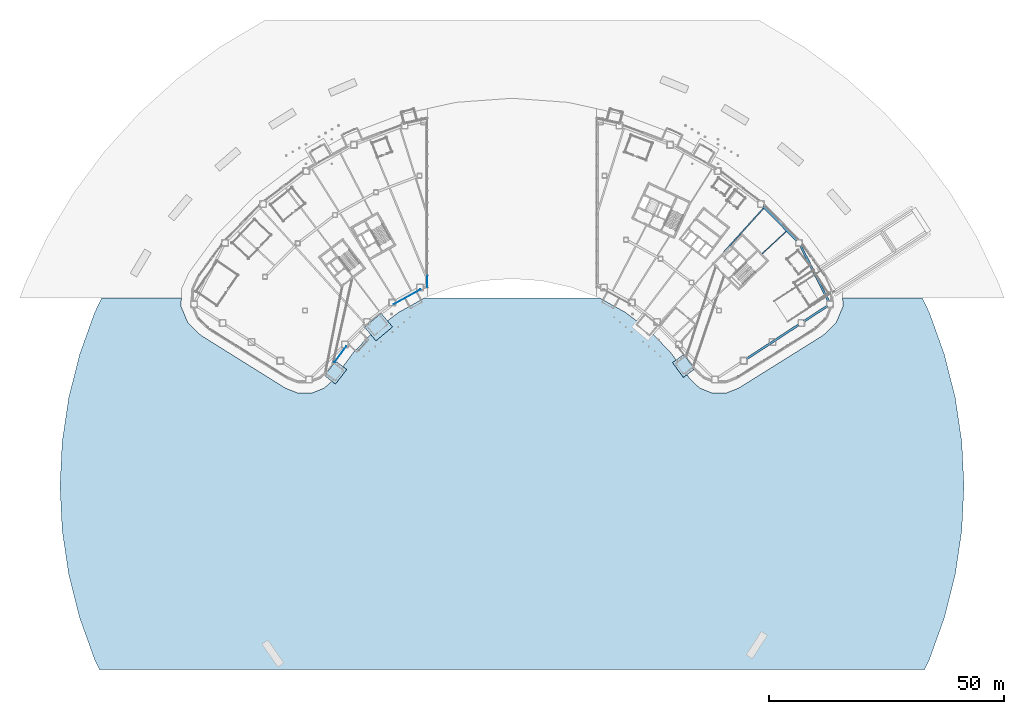
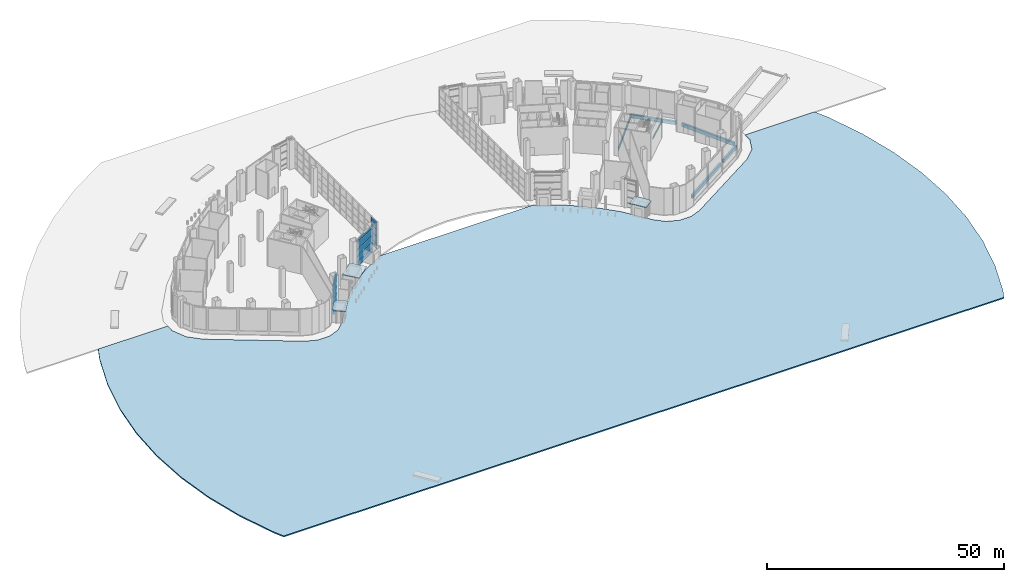
# One storey, part 26 of 45: 14 plates, 6 beams, 4 slabs, 3 elements without a shape of their own.
"""IFC4 building model written with IfcOpenShell, lengths in metres."""

from ifc_helpers import new_model, si_unit, direction, frame, origin, origin_2d, place, context, subcontext, project, spatial, polyline, rectangle, hollow_rectangle, i_section, outline, extrude, material, layer, layer_set, material_profile, profile_set, type_object, element, aggregate, save


model = new_model("IFC4")

# Units and contexts
model_context = context("Model", 3, precision=1e-05, world=origin(), true_north=direction((0.0, 1.0)))
body_context = subcontext(model_context, "Body", "Model", "MODEL_VIEW")
ifc_project = project(units=[si_unit("LENGTHUNIT", "METRE"), si_unit("AREAUNIT", "SQUARE_METRE"), si_unit("VOLUMEUNIT", "CUBIC_METRE"), si_unit("PLANEANGLEUNIT", "RADIAN"), si_unit("MASSUNIT", "GRAM", prefix="KILO")], contexts=[model_context])

# Site, building, storey
site_placement = place(None, origin())
site = spatial("IfcSite", under=ifc_project, at=site_placement, CompositionType="ELEMENT")
building_placement = place(site_placement, origin())
building = spatial("IfcBuilding", under=site, at=building_placement, Name="Tuul Gate Civic Tower", CompositionType="ELEMENT")
storey_placement = place(building_placement, origin())
storey = spatial("IfcBuildingStorey", under=building, at=storey_placement, Name="Level 00", CompositionType="ELEMENT", Elevation=0.0)

# Beams
ifc_material_1 = material(Name="Steel S355", Category="steel")
ifc_material_profile_1 = material_profile(ifc_material_1, i_section(OverallWidth=0.199951171875, OverallDepth=0.5, WebThickness=0.010009765625, FlangeThickness=0.01611328125, at=origin_2d()), Name="PG500x200x10x16")
ifc_profile_set_1 = profile_set([ifc_material_profile_1], Name="Steel S355")
beam_type_1 = type_object("IfcBeamType", Name="STR-FLOOR BEAM-PG500x200x10x16", PredefinedType="BEAM", material=ifc_profile_set_1)
beam_1_placement = place(storey_placement, frame((53.109375, -10.668212890625, -0.64990234375), z_axis=(0.732687862246, 0.680564836381, 0.0), x_axis=(-0.680564836381, 0.732687862246, 0.0)))
element("IfcBeam", 1, at=beam_1_placement, inside=storey, type_object=beam_type_1, Name="Floor beam", PredefinedType="BEAM", context=body_context, shape_type="SweptSolid", body=[
    extrude(i_section(OverallWidth=0.199951171875, OverallDepth=0.5, WebThickness=0.010009765625, FlangeThickness=0.01611328125, at=origin_2d()), origin(), (0.0, 0.0, 1.0), 6.997802734375),
])
ifc_material_2 = material(Name="Steel S355", Category="steel")
ifc_material_profile_2 = material_profile(ifc_material_2, i_section(OverallWidth=0.25, OverallDepth=0.64990234375, WebThickness=0.011962890625, FlangeThickness=0.02001953125, at=origin_2d()), Name="PG650x250x12x20")
ifc_profile_set_2 = profile_set([ifc_material_profile_2], Name="Steel S355")
beam_type_2 = type_object("IfcBeamType", Name="STR-FLOOR BEAM-PG650x250x12x20", PredefinedType="BEAM", material=ifc_profile_set_2)
beam_2_placement = place(storey_placement, frame((45.019775390625, -10.267578125, -0.72509765625), z_axis=(0.671117634609, 0.741350875441, 0.0), x_axis=(-0.741350875441, 0.671117634609, 0.0)))
element("IfcBeam", 2, at=beam_2_placement, inside=storey, type_object=beam_type_2, Name="Floor beam", PredefinedType="BEAM", context=body_context, shape_type="SweptSolid", body=[
    extrude(i_section(OverallWidth=0.25, OverallDepth=0.64990234375, WebThickness=0.011962890625, FlangeThickness=0.02001953125, at=origin_2d()), origin(), (0.0, 0.0, 1.0), 12.51416015625),
])
ifc_material_3 = material(Name="Steel S355", Category="steel")
ifc_material_profile_3 = material_profile(ifc_material_3, hollow_rectangle(XDim=0.449951171875, YDim=0.89990234375, WallThickness=0.02490234375, at=origin_2d()), Name="BOX900x450x25")
ifc_profile_set_3 = profile_set([ifc_material_profile_3], Name="Steel S355")
beam_type_3 = type_object("IfcBeamType", Name="STR-SPANDREL BEAM-BOX900x450x25", PredefinedType="BEAM", material=ifc_profile_set_3)
beam_3_placement = place(storey_placement, frame((67.245849609375, -20.742431640625, -0.85009765625), z_axis=(-0.451678979782, 0.892180530623, 0.0), x_axis=(-0.892180530623, -0.451678979782, 0.0)))
element("IfcBeam", 3, at=beam_3_placement, inside=storey, type_object=beam_type_3, Name="Spandrel beam", PredefinedType="BEAM", context=body_context, shape_type="SweptSolid", body=[
    extrude(hollow_rectangle(XDim=0.449951171875, YDim=0.89990234375, WallThickness=0.02490234375, at=origin_2d()), origin(), (0.0, 0.0, 1.0), 13.214599609375),
])
beam_4_placement = place(storey_placement, frame((60.470947265625, -7.828125, -0.85009765625), z_axis=(-0.700009826077, 0.714133211239, 0.0), x_axis=(-0.714133211239, -0.700009826077, 0.0)))
element("IfcBeam", 4, at=beam_4_placement, inside=storey, type_object=beam_type_3, Name="Spandrel beam", PredefinedType="BEAM", context=body_context, shape_type="SweptSolid", body=[
    extrude(hollow_rectangle(XDim=0.449951171875, YDim=0.89990234375, WallThickness=0.02490234375, at=origin_2d()), origin(), (0.0, 0.0, 1.0), 10.14697265625),
])
beam_5_placement = place(storey_placement, frame((49.8037109375, -32.98876953125, -0.85009765625), z_axis=(0.836741071493, 0.547598739294, 0.0), x_axis=(-0.547598739294, 0.836741071493, 0.0)))
element("IfcBeam", 5, at=beam_5_placement, inside=storey, type_object=beam_type_3, Name="Spandrel beam", PredefinedType="BEAM", context=body_context, shape_type="SweptSolid", body=[
    extrude(hollow_rectangle(XDim=0.449951171875, YDim=0.89990234375, WallThickness=0.02490234375, at=origin_2d()), origin(), (0.0, 0.0, 1.0), 13.215087890625),
])
beam_6_placement = place(storey_placement, frame((62.03271484375, -24.985595703125, -0.85009765625), z_axis=(0.836737319566, 0.547604472265, 0.0), x_axis=(-0.547604472265, 0.836737319566, 0.0)))
element("IfcBeam", 6, at=beam_6_placement, inside=storey, type_object=beam_type_3, Name="Spandrel beam", PredefinedType="BEAM", context=body_context, shape_type="SweptSolid", body=[
    extrude(hollow_rectangle(XDim=0.449951171875, YDim=0.89990234375, WallThickness=0.02490234375, at=origin_2d()), origin(), (0.0, 0.0, 1.0), 5.908203125),
])

# Curtain wall, plates
ifc_material_4 = material(Name="Aluminium", Category="aluminium")
ifc_layer_1 = layer(ifc_material_4, 0.199951171875)
ifc_layer_set_1 = layer_set([ifc_layer_1], Name="Aluminium")
curtain_wall_type_1 = type_object("IfcCurtainWallType", Name="Curtain wall CW1", PredefinedType="NOTDEFINED", material=ifc_layer_set_1)
curtain_wall_1_placement = place(storey_placement, origin())
curtain_wall_1 = element("IfcCurtainWall", 7, at=curtain_wall_1_placement, inside=storey, type_object=curtain_wall_type_1, Name="Curtain wall CW1", PredefinedType="NOTDEFINED")
ifc_material_5 = material(Name="Low-iron laminated glass", Category="glass")
ifc_layer_2 = layer(ifc_material_5, 0.035888671875)
ifc_layer_set_2 = layer_set([ifc_layer_2], Name="Low-iron laminated glass")
plate_type_1 = type_object("IfcPlateType", Name="CW1 panel", PredefinedType="CURTAIN_PANEL", material=ifc_layer_set_2)
plate_1_placement = place(storey_placement, frame((-36.44287109375, -31.97998046875, 0.06982421875), z_axis=(0.0, 0.0, 1.0), x_axis=(0.58975630232, 0.807581267659, 0.0)))
plate_1 = element("IfcPlate", 8, at=plate_1_placement, type_object=plate_type_1, Name="Panel", PredefinedType="CURTAIN_PANEL", context=body_context, shape_type="SweptSolid", body=[
    extrude(rectangle(XDim=4.251220703125, YDim=0.035888671875, at=origin_2d()), origin(), (0.0, 0.0, 1.0), 1.094970703125),
])
plate_2_placement = place(storey_placement, frame((-36.44287109375, -31.97998046875, 1.23486328125), z_axis=(0.0, 0.0, 1.0), x_axis=(0.58975630232, 0.807581267659, 0.0)))
plate_2 = element("IfcPlate", 9, at=plate_2_placement, type_object=plate_type_1, Name="Panel", PredefinedType="CURTAIN_PANEL", context=body_context, shape_type="SweptSolid", body=[
    extrude(rectangle(XDim=4.251220703125, YDim=0.035888671875, at=origin_2d()), origin(), (0.0, 0.0, 1.0), 1.429931640625),
])
plate_3_placement = place(storey_placement, frame((-36.44287109375, -31.97998046875, 2.735107421875), z_axis=(0.0, 0.0, 1.0), x_axis=(0.58975630232, 0.807581267659, 0.0)))
plate_3 = element("IfcPlate", 10, at=plate_3_placement, type_object=plate_type_1, Name="Panel", PredefinedType="CURTAIN_PANEL", context=body_context, shape_type="SweptSolid", body=[
    extrude(rectangle(XDim=4.251220703125, YDim=0.035888671875, at=origin_2d()), origin(), (0.0, 0.0, 1.0), 1.72998046875),
])
plate_4_placement = place(storey_placement, frame((-36.44287109375, -31.97998046875, 4.534912109375), z_axis=(0.0, 0.0, 1.0), x_axis=(0.58975630232, 0.807581267659, 0.0)))
plate_4 = element("IfcPlate", 11, at=plate_4_placement, type_object=plate_type_1, Name="Panel", PredefinedType="CURTAIN_PANEL", context=body_context, shape_type="SweptSolid", body=[
    extrude(rectangle(XDim=4.251220703125, YDim=0.035888671875, at=origin_2d()), origin(), (0.0, 0.0, 1.0), 1.72998046875),
])
plate_5_placement = place(storey_placement, frame((-36.44287109375, -31.97998046875, 6.3349609375), z_axis=(0.0, 0.0, 1.0), x_axis=(0.58975630232, 0.807581267659, 0.0)))
plate_5 = element("IfcPlate", 12, at=plate_5_placement, type_object=plate_type_1, Name="Panel", PredefinedType="CURTAIN_PANEL", context=body_context, shape_type="SweptSolid", body=[
    extrude(rectangle(XDim=4.251220703125, YDim=0.035888671875, at=origin_2d()), origin(), (0.0, 0.0, 1.0), 0.7451171875),
])
aggregate(curtain_wall_1, [plate_1, plate_2, plate_3, plate_4, plate_5])

curtain_wall_2_placement = place(storey_placement, origin())
curtain_wall_2 = element("IfcCurtainWall", 13, at=curtain_wall_2_placement, inside=storey, type_object=curtain_wall_type_1, Name="Curtain wall CW1", PredefinedType="NOTDEFINED")
plate_6_placement = place(storey_placement, frame((-22.279541015625, -19.806396484375, 0.06982421875), z_axis=(0.0, 0.0, 1.0), x_axis=(0.87466693756, 0.484724404523, 0.0)))
plate_6 = element("IfcPlate", 14, at=plate_6_placement, type_object=plate_type_1, Name="Panel", PredefinedType="CURTAIN_PANEL", context=body_context, shape_type="SweptSolid", body=[
    extrude(rectangle(XDim=6.517333984375, YDim=0.035888671875, at=origin_2d()), origin(), (0.0, 0.0, 1.0), 1.094970703125),
])
plate_7_placement = place(storey_placement, frame((-22.279541015625, -19.806396484375, 1.23486328125), z_axis=(0.0, 0.0, 1.0), x_axis=(0.87466693756, 0.484724404523, 0.0)))
plate_7 = element("IfcPlate", 15, at=plate_7_placement, type_object=plate_type_1, Name="Panel", PredefinedType="CURTAIN_PANEL", context=body_context, shape_type="SweptSolid", body=[
    extrude(rectangle(XDim=6.517333984375, YDim=0.035888671875, at=origin_2d()), origin(), (0.0, 0.0, 1.0), 1.429931640625),
])
plate_8_placement = place(storey_placement, frame((-22.279541015625, -19.806396484375, 2.735107421875), z_axis=(0.0, 0.0, 1.0), x_axis=(0.87466693756, 0.484724404523, 0.0)))
plate_8 = element("IfcPlate", 16, at=plate_8_placement, type_object=plate_type_1, Name="Panel", PredefinedType="CURTAIN_PANEL", context=body_context, shape_type="SweptSolid", body=[
    extrude(rectangle(XDim=6.517333984375, YDim=0.035888671875, at=origin_2d()), origin(), (0.0, 0.0, 1.0), 1.72998046875),
])
plate_9_placement = place(storey_placement, frame((-22.279541015625, -19.806396484375, 4.534912109375), z_axis=(0.0, 0.0, 1.0), x_axis=(0.87466693756, 0.484724404523, 0.0)))
plate_9 = element("IfcPlate", 17, at=plate_9_placement, type_object=plate_type_1, Name="Panel", PredefinedType="CURTAIN_PANEL", context=body_context, shape_type="SweptSolid", body=[
    extrude(rectangle(XDim=6.517333984375, YDim=0.035888671875, at=origin_2d()), origin(), (0.0, 0.0, 1.0), 1.72998046875),
])
plate_10_placement = place(storey_placement, frame((-22.279541015625, -19.806396484375, 6.3349609375), z_axis=(0.0, 0.0, 1.0), x_axis=(0.87466693756, 0.484724404523, 0.0)))
plate_10 = element("IfcPlate", 18, at=plate_10_placement, type_object=plate_type_1, Name="Panel", PredefinedType="CURTAIN_PANEL", context=body_context, shape_type="SweptSolid", body=[
    extrude(rectangle(XDim=6.517333984375, YDim=0.035888671875, at=origin_2d()), origin(), (0.0, 0.0, 1.0), 0.7451171875),
])
aggregate(curtain_wall_2, [plate_6, plate_7, plate_8, plate_9, plate_10])

ifc_material_6 = material(Name="Stainless steel", Category="steel")
ifc_layer_3 = layer(ifc_material_6, 0.199951171875)
ifc_layer_set_3 = layer_set([ifc_layer_3], Name="Stainless steel")
curtain_wall_type_2 = type_object("IfcCurtainWallType", Name="Curtain wall CW2", PredefinedType="NOTDEFINED", material=ifc_layer_set_3)
curtain_wall_3_placement = place(storey_placement, origin())
curtain_wall_3 = element("IfcCurtainWall", 19, at=curtain_wall_3_placement, inside=storey, type_object=curtain_wall_type_2, Name="Curtain wall CW2", PredefinedType="NOTDEFINED")
ifc_material_7 = material(Name="Laminated glass", Category="glass")
ifc_layer_4 = layer(ifc_material_7, 0.0439453125)
ifc_layer_set_4 = layer_set([ifc_layer_4], Name="Laminated glass")
plate_type_2 = type_object("IfcPlateType", Name="CW2 panel", PredefinedType="CURTAIN_PANEL", material=ifc_layer_set_4)
plate_11_placement = place(storey_placement, frame((-18.0, -16.526611328125, 0.080078125), z_axis=(0.0, 0.0, 1.0), x_axis=(0.0, 1.0, 0.0)))
plate_11 = element("IfcPlate", 20, at=plate_11_placement, type_object=plate_type_2, Name="Panel", PredefinedType="CURTAIN_PANEL", context=body_context, shape_type="SweptSolid", body=[
    extrude(rectangle(XDim=2.458740234375, YDim=0.0439453125, at=origin_2d()), origin(), (0.0, 0.0, 1.0), 1.3798828125),
])
plate_12_placement = place(storey_placement, frame((-18.0, -16.526611328125, 1.5400390625), z_axis=(0.0, 0.0, 1.0), x_axis=(0.0, 1.0, 0.0)))
plate_12 = element("IfcPlate", 21, at=plate_12_placement, type_object=plate_type_2, Name="Panel", PredefinedType="CURTAIN_PANEL", context=body_context, shape_type="SweptSolid", body=[
    extrude(rectangle(XDim=2.458740234375, YDim=0.0439453125, at=origin_2d()), origin(), (0.0, 0.0, 1.0), 1.719970703125),
])
plate_13_placement = place(storey_placement, frame((-18.0, -16.526611328125, 3.33984375), z_axis=(0.0, 0.0, 1.0), x_axis=(0.0, 1.0, 0.0)))
plate_13 = element("IfcPlate", 22, at=plate_13_placement, type_object=plate_type_2, Name="Panel", PredefinedType="CURTAIN_PANEL", context=body_context, shape_type="SweptSolid", body=[
    extrude(rectangle(XDim=2.458740234375, YDim=0.0439453125, at=origin_2d()), origin(), (0.0, 0.0, 1.0), 1.719970703125),
])
plate_14_placement = place(storey_placement, frame((-18.0, -16.526611328125, 5.14013671875), z_axis=(0.0, 0.0, 1.0), x_axis=(0.0, 1.0, 0.0)))
plate_14 = element("IfcPlate", 23, at=plate_14_placement, type_object=plate_type_2, Name="Panel", PredefinedType="CURTAIN_PANEL", context=body_context, shape_type="SweptSolid", body=[
    extrude(rectangle(XDim=2.458740234375, YDim=0.0439453125, at=origin_2d()), origin(), (0.0, 0.0, 1.0), 1.929931640625),
])
aggregate(curtain_wall_3, [plate_11, plate_12, plate_13, plate_14])

# Slabs
ifc_material_8 = material(Name="Concrete C40/50", Category="concrete")
ifc_layer_5 = layer(ifc_material_8, 0.199951171875)
ifc_layer_set_5 = layer_set([ifc_layer_5], Name="Concrete C40/50")
slab_type_1 = type_object("IfcSlabType", Name="Entrance canopy", PredefinedType="ROOF", material=ifc_layer_set_5)
slab_1_placement = place(storey_placement, frame((0.0, 0.0, 3.199951171875)))
element("IfcSlab", 24, at=slab_1_placement, inside=storey, type_object=slab_type_1, Name="Entrance canopy", PredefinedType="ROOF", context=body_context, shape_type="SweptSolid", body=[
    extrude(outline(polyline([(-31.3349609375, -26.234619140625), (-28.892333984375, -29.145751953125), (-25.368408203125, -26.18896484375), (-27.81103515625, -23.27783203125), (-31.3349609375, -26.234619140625)])), origin(), (0.0, 0.0, 1.0), 0.199951171875),
])
slab_2_placement = place(storey_placement, frame((0.0, 0.0, 3.199951171875)))
element("IfcSlab", 25, at=slab_2_placement, inside=storey, type_object=slab_type_1, Name="Entrance canopy", PredefinedType="ROOF", context=body_context, shape_type="SweptSolid", body=[
    extrude(outline(polyline([(-39.521484375, -36.12744140625), (-39.36328125, -36.249755859375), (-39.66943359375, -36.645263671875), (-37.49462890625, -38.328369140625), (-35.107666015625, -35.244140625), (-37.282470703125, -33.56103515625), (-37.588623046875, -33.956298828125), (-37.74658203125, -33.833984375), (-39.521484375, -36.12744140625)])), origin(), (0.0, 0.0, 1.0), 0.199951171875),
])
slab_3_placement = place(storey_placement, frame((0.0, 0.0, 3.199951171875)))
element("IfcSlab", 26, at=slab_3_placement, inside=storey, type_object=slab_type_1, Name="Entrance canopy", PredefinedType="ROOF", context=body_context, shape_type="SweptSolid", body=[
    extrude(outline(polyline([(36.7705078125, -32.4287109375), (36.60888671875, -32.546630859375), (36.31396484375, -32.142822265625), (34.09326171875, -33.7646484375), (36.393310546875, -36.914306640625), (38.614013671875, -35.29248046875), (38.3193359375, -34.888671875), (38.480712890625, -34.770751953125), (36.7705078125, -32.4287109375)])), origin(), (0.0, 0.0, 1.0), 0.199951171875),
])
ifc_material_9 = material(Name="Granite paving on concrete C25/30", Category="masonry")
ifc_layer_6 = layer(ifc_material_9, 0.300048828125)
ifc_layer_set_6 = layer_set([ifc_layer_6], Name="Granite paving on concrete C25/30")
slab_type_2 = type_object("IfcSlabType", Name="Site paving", PredefinedType="USERDEFINED", material=ifc_layer_set_6)
slab_4_placement = place(storey_placement, frame((0.0, 0.0, -0.300048828125)))
element("IfcSlab", 27, at=slab_4_placement, inside=storey, type_object=slab_type_2, Name="Plaza paving", ObjectType="PAVING", PredefinedType="USERDEFINED", context=body_context, shape_type="SweptSolid", body=[
    extrude(outline(polyline([(88.6923828125, -96.737548828125), (91.8662109375, -87.867431640625), (94.1552734375, -78.728759765625), (95.537841796875, -69.40966796875), (96.0, -60.0), (95.537841796875, -50.59033203125), (94.1552734375, -41.271240234375), (91.8662109375, -32.132568359375), (88.6923828125, -23.262451171875), (87.1494140625, -20.0), (70.24072265625, -20.0), (70.26806640625, -21.889892578125), (68.821044921875, -25.35009765625), (66.112060546875, -27.945068359375), (48.052978515625, -39.22998046875), (45.39697265625, -40.262939453125), (42.547119140625, -40.25390625), (39.89794921875, -39.201904296875), (37.81689453125, -37.2529296875), (33.617919921875, -31.50390625), (29.160888671875, -26.95703125), (24.094970703125, -23.09912109375), (18.52490234375, -20.011962890625), (18.4931640625, -20.0), (-18.4931640625, -20.0), (-18.52490234375, -20.011962890625), (-24.094970703125, -23.09912109375), (-29.160888671875, -26.95703125), (-33.617919921875, -31.50390625), (-37.81689453125, -37.2529296875), (-39.89794921875, -39.201904296875), (-42.547119140625, -40.25390625), (-45.39697265625, -40.262939453125), (-48.052978515625, -39.22998046875), (-66.112060546875, -27.945068359375), (-68.821044921875, -25.35009765625), (-70.26806640625, -21.889892578125), (-70.24072265625, -20.0), (-87.1494140625, -20.0), (-88.6923828125, -23.262451171875), (-91.8662109375, -32.132568359375), (-94.1552734375, -41.271240234375), (-95.537841796875, -50.59033203125), (-96.0, -60.0), (-95.537841796875, -69.40966796875), (-94.1552734375, -78.728759765625), (-91.8662109375, -87.867431640625), (-88.6923828125, -96.737548828125), (-87.622314453125, -99.0), (87.622314453125, -99.0), (88.6923828125, -96.737548828125)])), origin(), (0.0, 0.0, 1.0), 0.300048828125),
])

save(model, "model.ifc")
